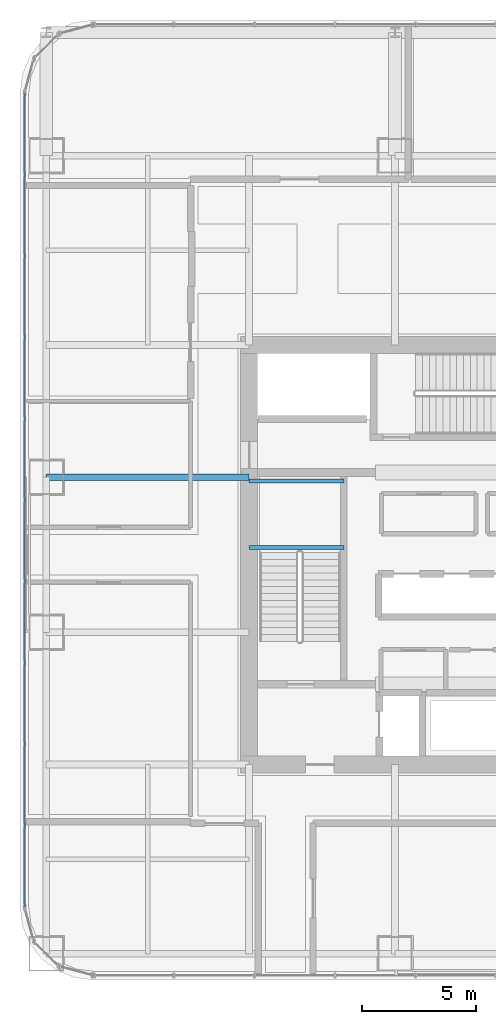
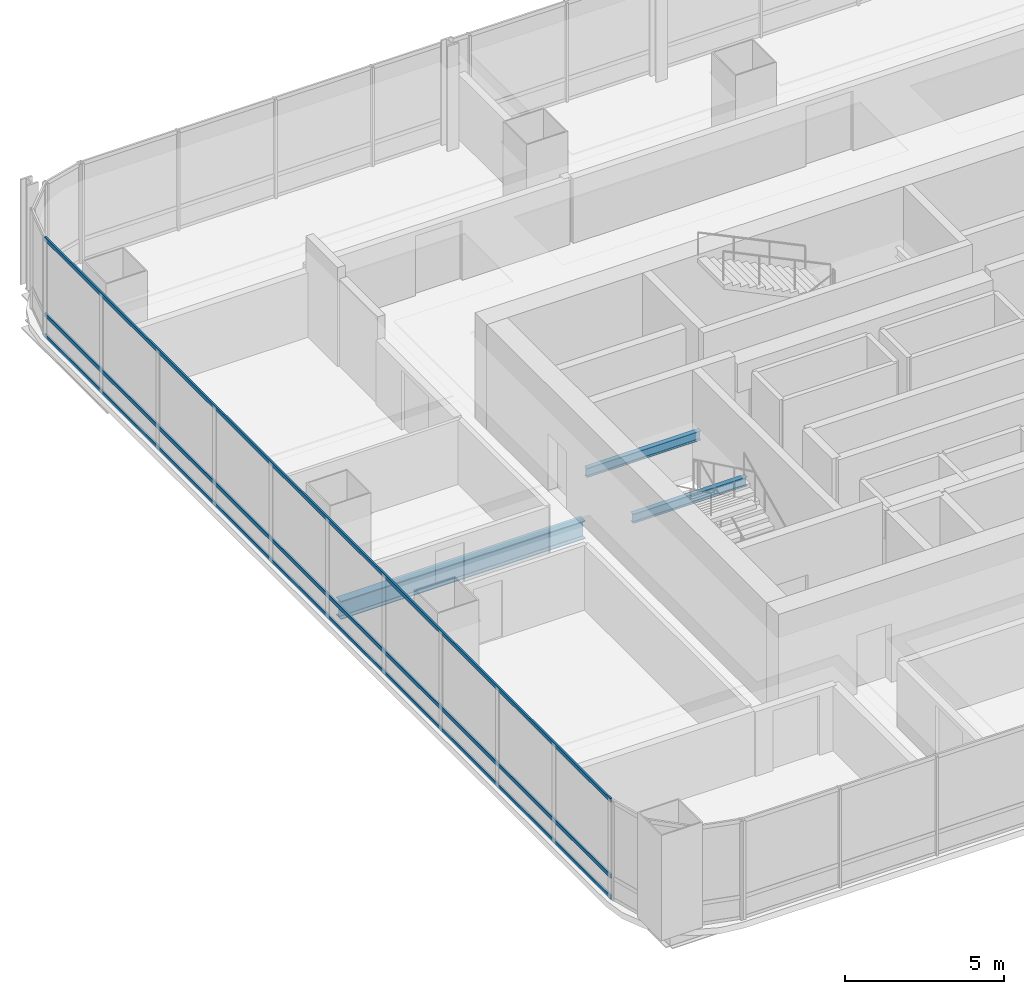
# One storey, part 10 of 34: 3 beams, 3 members, 1 element without a shape of its own.
"""IFC4 building model written with IfcOpenShell, lengths in metres."""

from ifc_helpers import new_model, si_unit, direction, frame, origin, origin_2d, place, context, subcontext, project, spatial, hollow_rectangle, i_section, extrude, material, material_profile, profile_set, type_object, element, aggregate, save


model = new_model("IFC4")

# Units and contexts
model_context = context("Model", 3, precision=1e-05, world=origin(), true_north=direction((0.0, 1.0)))
body_context = subcontext(model_context, "Body", "Model", "MODEL_VIEW")
ifc_project = project(units=[si_unit("LENGTHUNIT", "METRE"), si_unit("AREAUNIT", "SQUARE_METRE"), si_unit("VOLUMEUNIT", "CUBIC_METRE"), si_unit("PLANEANGLEUNIT", "RADIAN"), si_unit("MASSUNIT", "GRAM", prefix="KILO")], contexts=[model_context])

# Site, building, storey
site_placement = place(None, origin())
site = spatial("IfcSite", under=ifc_project, at=site_placement, CompositionType="ELEMENT")
building_placement = place(site_placement, origin())
building = spatial("IfcBuilding", under=site, at=building_placement, Name="Punatoya Terracotta Tower", CompositionType="ELEMENT")
storey_placement = place(building_placement, frame((0.0, 0.0, 105.14990234375)))
storey = spatial("IfcBuildingStorey", under=building, at=storey_placement, Name="L24", CompositionType="ELEMENT", Elevation=105.14990234375)

# Beams
ifc_material_1 = material(Name="Steel S355", Category="steel")
ifc_material_profile_1 = material_profile(ifc_material_1, i_section(OverallWidth=0.300048828125, OverallDepth=0.699951171875, WebThickness=0.01708984375, FlangeThickness=0.031982421875, FilletRadius=0.01806640625, at=origin_2d()))
ifc_profile_set_1 = profile_set([ifc_material_profile_1], Name="Steel S355")
beam_type_1 = type_object("IfcBeamType", Name="BM-PRI-700", PredefinedType="BEAM", material=ifc_profile_set_1)
beam_placement = place(storey_placement, frame((-19.10009765625, 3.39990234375, -0.58984375), z_axis=(1.0, 0.0, 0.0), x_axis=(0.0, 1.0, 0.0)))
element("IfcBeam", 1, at=beam_placement, inside=storey, type_object=beam_type_1, Name="BM-L24-PR-WE", PredefinedType="BEAM", context=body_context, shape_type="SweptSolid", body=[
    extrude(i_section(OverallWidth=0.300048828125, OverallDepth=0.699951171875, WebThickness=0.01708984375, FlangeThickness=0.031982421875, FilletRadius=0.01806640625, at=origin_2d()), origin(), (0.0, 0.0, 1.0), 8.900146484375),
])
ifc_material_profile_2 = material_profile(ifc_material_1, i_section(OverallWidth=0.169921875, OverallDepth=0.360107421875, WebThickness=0.008056640625, FlangeThickness=0.0126953125, FilletRadius=0.01806640625, at=origin_2d()))
ifc_profile_set_2 = profile_set([ifc_material_profile_2], Name="Steel S355")
beam_type_2 = type_object("IfcBeamType", Name="BM-SEC-360", PredefinedType="JOIST", material=ifc_profile_set_2)
for number, where, z_axis, x_axis, name in (
    (2, (-10.199951171875, 0.320068359375, 1.64501953125), (1.0, 0.0, 0.0), (0.0, 1.0, 0.0), "BM-L24-ST-1-LD1A"),
    (3, (-10.199951171875, 3.22998046875, 1.64501953125), (1.0, 0.0, 0.0), (0.0, 1.0, 0.0), "BM-L24-ST-1-LD1B"),
):
    element("IfcBeam", number, at=place(storey_placement, frame(where, z_axis=z_axis, x_axis=x_axis)), inside=storey, type_object=beam_type_2, Name=name, PredefinedType="JOIST", context=body_context, shape_type="SweptSolid", body=[
        extrude(i_section(OverallWidth=0.169921875, OverallDepth=0.360107421875, WebThickness=0.008056640625, FlangeThickness=0.0126953125, FilletRadius=0.01806640625, at=origin_2d()), origin(), (0.0, 0.0, 1.0), 4.14990234375),
    ])

# Curtain wall, members
ifc_material_2 = material(Name="Aluminium 6063-T6 + Double Low-E Glass", Category="aluminium")
curtain_wall_type = type_object("IfcCurtainWallType", Name="CW-M1", PredefinedType="NOTDEFINED", material=ifc_material_2)
curtain_wall_placement = place(storey_placement, origin())
curtain_wall = element("IfcCurtainWall", 4, at=curtain_wall_placement, inside=storey, type_object=curtain_wall_type, Name="L24 Curtain Wall CW-L24-W13-1", PredefinedType="NOTDEFINED")
ifc_material_3 = material(Name="Aluminium 6063-T6", Category="aluminium")
ifc_material_profile_3 = material_profile(ifc_material_3, hollow_rectangle(XDim=0.068115234375, YDim=0.14990234375, WallThickness=0.00390625, at=origin_2d()))
ifc_profile_set_3 = profile_set([ifc_material_profile_3], Name="Aluminium 6063-T6")
member_type = type_object("IfcMemberType", Name="CW-TRN-TYP", PredefinedType="USERDEFINED", material=ifc_profile_set_3)
member_1_placement = place(storey_placement, frame((-20.050048828125, 20.23681640625, 0.0400390625), z_axis=(0.0, -1.0, 0.0), x_axis=(1.0, 0.0, 0.0)))
member_1 = element("IfcMember", 5, at=member_1_placement, type_object=member_type, Name="CW-L24-W13-1 Transom 1", ObjectType="TRANSOM", PredefinedType="USERDEFINED", context=body_context, shape_type="SweptSolid", body=[
    extrude(hollow_rectangle(XDim=0.068115234375, YDim=0.14990234375, WallThickness=0.00390625, at=origin_2d()), origin(), (0.0, 0.0, 1.0), 35.673828125),
])
member_2_placement = place(storey_placement, frame((-20.050048828125, 20.23681640625, 0.85009765625), z_axis=(0.0, -1.0, 0.0), x_axis=(1.0, 0.0, 0.0)))
member_2 = element("IfcMember", 6, at=member_2_placement, type_object=member_type, Name="CW-L24-W13-1 Transom 2", ObjectType="TRANSOM", PredefinedType="USERDEFINED", context=body_context, shape_type="SweptSolid", body=[
    extrude(hollow_rectangle(XDim=0.068115234375, YDim=0.14990234375, WallThickness=0.00390625, at=origin_2d()), origin(), (0.0, 0.0, 1.0), 35.673828125),
])
member_3_placement = place(storey_placement, frame((-20.050048828125, 20.23681640625, 3.77001953125), z_axis=(0.0, -1.0, 0.0), x_axis=(1.0, 0.0, 0.0)))
member_3 = element("IfcMember", 7, at=member_3_placement, type_object=member_type, Name="CW-L24-W13-1 Transom 3", ObjectType="TRANSOM", PredefinedType="USERDEFINED", context=body_context, shape_type="SweptSolid", body=[
    extrude(hollow_rectangle(XDim=0.068115234375, YDim=0.14990234375, WallThickness=0.00390625, at=origin_2d()), origin(), (0.0, 0.0, 1.0), 35.673828125),
])
aggregate(curtain_wall, [member_1, member_2, member_3])

save(model, "model.ifc")
